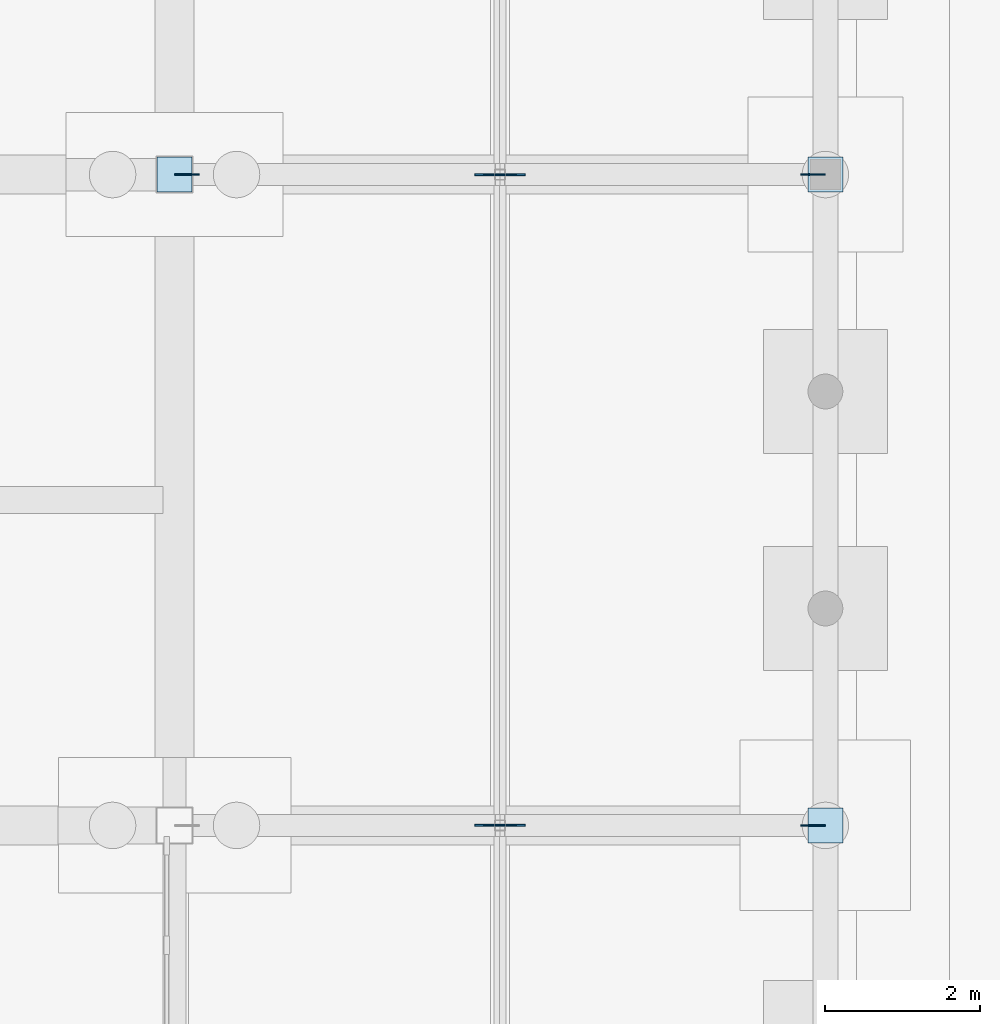
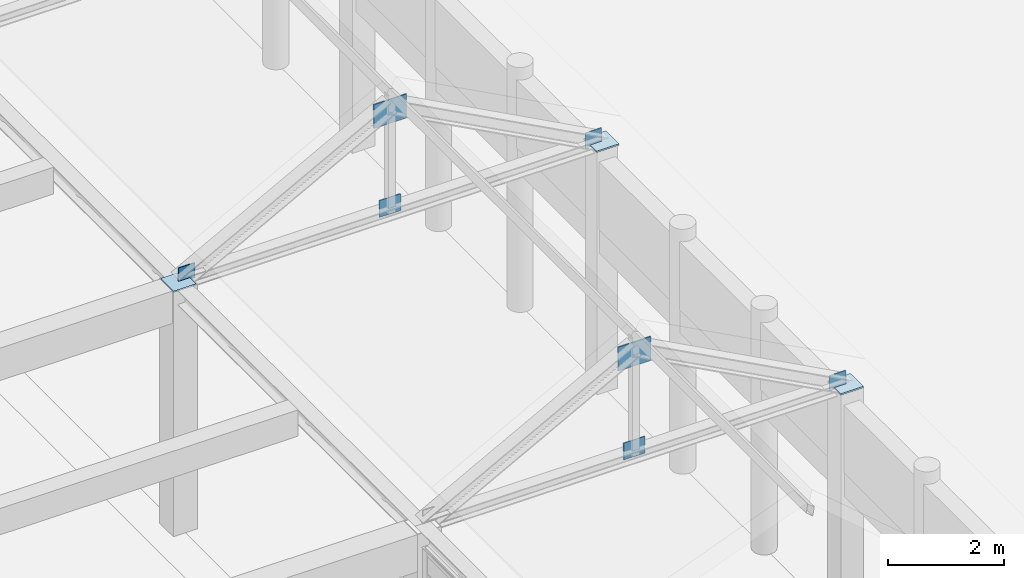
# One storey, part 93 of 143: 10 plates.
"""IFC4 building model written with IfcOpenShell, lengths in metres."""

from ifc_helpers import new_model, si_unit, direction, frame, origin, origin_2d, place, context, subcontext, project, spatial, rectangle, extrude, material, layer, layer_set, type_object, element, save


model = new_model("IFC4")

# Units and contexts
model_context = context("Model", 3, precision=1e-05, world=origin(), true_north=direction((0.0, 1.0)))
body_context = subcontext(model_context, "Body", "Model", "MODEL_VIEW")
ifc_project = project(units=[si_unit("LENGTHUNIT", "METRE"), si_unit("AREAUNIT", "SQUARE_METRE"), si_unit("VOLUMEUNIT", "CUBIC_METRE"), si_unit("PLANEANGLEUNIT", "RADIAN"), si_unit("MASSUNIT", "GRAM", prefix="KILO")], contexts=[model_context])

# Site, building, storey
site_placement = place(None, origin())
site = spatial("IfcSite", under=ifc_project, at=site_placement, CompositionType="ELEMENT")
building_placement = place(site_placement, origin())
building = spatial("IfcBuilding", under=site, at=building_placement, Name="Kveldsbrygga Polytechnic", CompositionType="ELEMENT")
storey_placement = place(building_placement, origin())
storey = spatial("IfcBuildingStorey", under=building, at=storey_placement, Name="L00", CompositionType="ELEMENT", Elevation=0.0)

# Plates
ifc_material = material(Name="Steel S355", Category="steel")
ifc_layer_1 = layer(ifc_material, 0.030029296875)
ifc_layer_set_1 = layer_set([ifc_layer_1], Name="Steel S355")
plate_type_1 = type_object("IfcPlateType", Name="CAP-BEAR-450", PredefinedType="SHEET", material=ifc_layer_set_1)
for number, where, z_axis, x_axis, name in (
    (1, (84.0, 50.39990234375, 5.10986328125), (0.0, 0.0, 1.0), (1.0, 0.0, 0.0), "Truss Bearing Plate ARC-EW-T03-B"),
    (2, (75.60009765625, 58.800048828125, 5.10986328125), (0.0, 0.0, 1.0), (1.0, 0.0, 0.0), "Truss Bearing Plate ARC-EW-T04-A"),
    (3, (84.0, 58.800048828125, 5.10986328125), (0.0, 0.0, 1.0), (1.0, 0.0, 0.0), "Truss Bearing Plate ARC-EW-T04-B"),
):
    element("IfcPlate", number, at=place(storey_placement, frame(where, z_axis=z_axis, x_axis=x_axis)), inside=storey, type_object=plate_type_1, Name=name, PredefinedType="SHEET", context=body_context, shape_type="SweptSolid", body=[
        extrude(rectangle(XDim=0.449951171875, YDim=0.449951171875, at=origin_2d()), origin(), (0.0, 0.0, 1.0), 0.030029296875),
    ])
ifc_layer_2 = layer(ifc_material, 0.02490234375)
ifc_layer_set_2 = layer_set([ifc_layer_2], Name="Steel S355")
plate_type_2 = type_object("IfcPlateType", Name="GUS-APEX-650", PredefinedType="SHEET", material=ifc_layer_set_2)
for number, where, z_axis, x_axis, name in (
    (4, (79.800048828125, 50.39990234375, 6.989990234375), (0.0, 0.0, 1.0), (1.0, 0.0, 0.0), "Truss Gusset Plate ARC-EW-T03-GP-1"),
    (5, (79.800048828125, 58.800048828125, 6.989990234375), (0.0, 0.0, 1.0), (1.0, 0.0, 0.0), "Truss Gusset Plate ARC-EW-T04-GP-1"),
):
    element("IfcPlate", number, at=place(storey_placement, frame(where, z_axis=z_axis, x_axis=x_axis)), inside=storey, type_object=plate_type_2, Name=name, PredefinedType="SHEET", context=body_context, shape_type="SweptSolid", body=[
        extrude(rectangle(XDim=0.64990234375, YDim=0.02490234375, at=origin_2d()), origin(), (0.0, 0.0, 1.0), 0.5),
    ])
ifc_layer_3 = layer(ifc_material, 0.01806640625)
ifc_layer_set_3 = layer_set([ifc_layer_3], Name="Steel S355")
plate_type_3 = type_object("IfcPlateType", Name="GUS-BRACE-320", PredefinedType="SHEET", material=ifc_layer_set_3)
for number, where, z_axis, x_axis, name in (
    (6, (83.840087890625, 50.39990234375, 5.10009765625), (0.0, 0.0, 1.0), (1.0, 0.0, 0.0), "Truss Eaves Node Gusset ARC-EW-T03-EGP-B"),
    (7, (75.760009765625, 58.800048828125, 5.10009765625), (0.0, 0.0, 1.0), (1.0, 0.0, 0.0), "Truss Eaves Node Gusset ARC-EW-T04-EGP-A"),
    (8, (83.840087890625, 58.800048828125, 5.10009765625), (0.0, 0.0, 1.0), (1.0, 0.0, 0.0), "Truss Eaves Node Gusset ARC-EW-T04-EGP-B"),
):
    element("IfcPlate", number, at=place(storey_placement, frame(where, z_axis=z_axis, x_axis=x_axis)), inside=storey, type_object=plate_type_3, Name=name, PredefinedType="SHEET", context=body_context, shape_type="SweptSolid", body=[
        extrude(rectangle(XDim=0.320068359375, YDim=0.01806640625, at=origin_2d()), origin(), (0.0, 0.0, 1.0), 0.320068359375),
    ])
ifc_layer_4 = layer(ifc_material, 0.02001953125)
ifc_layer_set_4 = layer_set([ifc_layer_4], Name="Steel S355")
plate_type_4 = type_object("IfcPlateType", Name="GUS-LECT-420", PredefinedType="SHEET", material=ifc_layer_set_4)
for number, where, z_axis, x_axis, name in (
    (9, (79.800048828125, 50.39990234375, 5.0849609375), (0.0, 0.0, 1.0), (1.0, 0.0, 0.0), "Truss Bottom-Chord Node Gusset ARC-EW-T03-BGP-1"),
    (10, (79.800048828125, 58.800048828125, 5.0849609375), (0.0, 0.0, 1.0), (1.0, 0.0, 0.0), "Truss Bottom-Chord Node Gusset ARC-EW-T04-BGP-1"),
):
    element("IfcPlate", number, at=place(storey_placement, frame(where, z_axis=z_axis, x_axis=x_axis)), inside=storey, type_object=plate_type_4, Name=name, PredefinedType="SHEET", context=body_context, shape_type="SweptSolid", body=[
        extrude(rectangle(XDim=0.419921875, YDim=0.02001953125, at=origin_2d()), origin(), (0.0, 0.0, 1.0), 0.35009765625),
    ])

save(model, "model.ifc")
